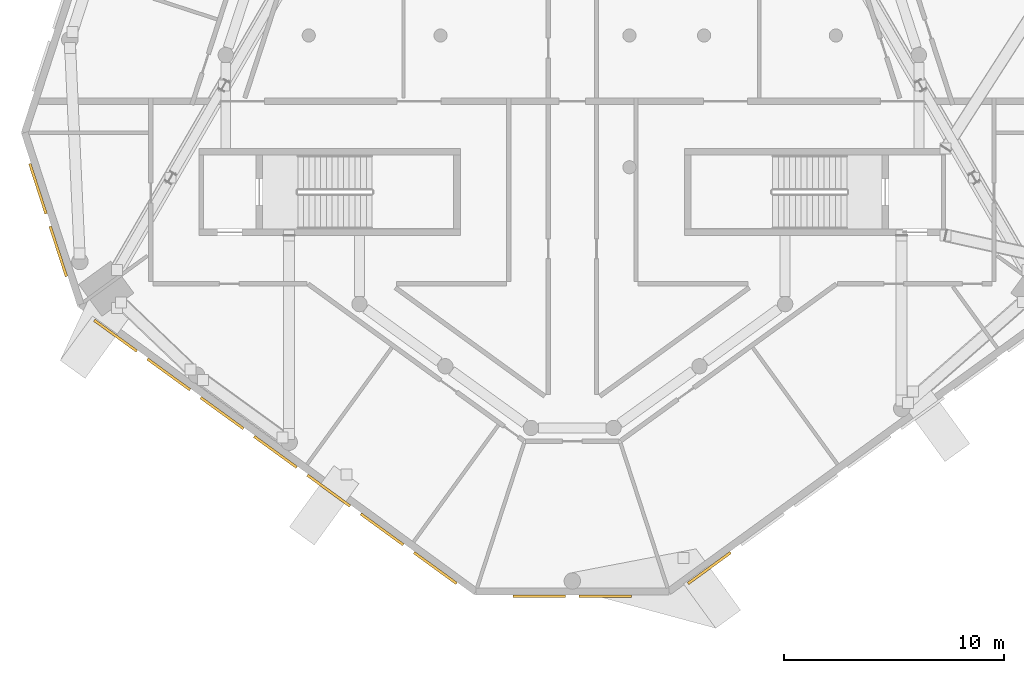
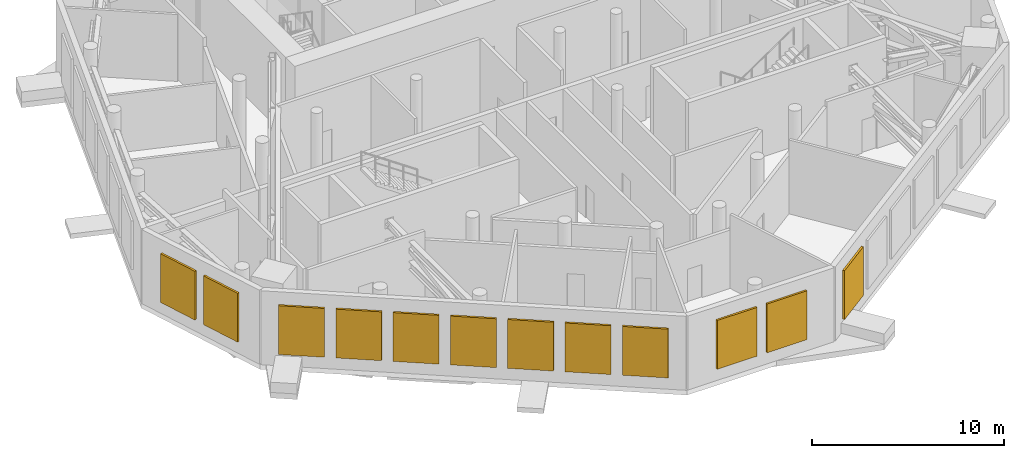
# One storey, part 13 of 17: 12 shading devices.
"""IFC4 building model written with IfcOpenShell, lengths in metres."""

from ifc_helpers import new_model, si_unit, direction, frame, origin, origin_2d, place, context, subcontext, project, spatial, rectangle, extrude, material, type_object, element, save


model = new_model("IFC4")

# Units and contexts
model_context = context("Model", 3, precision=1e-05, world=origin(), true_north=direction((0.0, 1.0)))
body_context = subcontext(model_context, "Body", "Model", "MODEL_VIEW")
ifc_project = project(units=[si_unit("LENGTHUNIT", "METRE"), si_unit("AREAUNIT", "SQUARE_METRE"), si_unit("VOLUMEUNIT", "CUBIC_METRE"), si_unit("PLANEANGLEUNIT", "RADIAN"), si_unit("MASSUNIT", "GRAM", prefix="KILO")], contexts=[model_context])

# Site, building, storey
site_placement = place(None, origin())
site = spatial("IfcSite", under=ifc_project, at=site_placement, CompositionType="ELEMENT")
building_placement = place(site_placement, origin())
building = spatial("IfcBuilding", under=site, at=building_placement, Name="White Candle Pilgrim Tower", CompositionType="ELEMENT")
storey_placement = place(building_placement, frame((0.0, 0.0, 191.5)))
storey = spatial("IfcBuildingStorey", under=building, at=storey_placement, Name="L44", CompositionType="ELEMENT", Elevation=191.5)

# Shading devices
ifc_material = material(Name="Aluminium", Category="aluminium")
shading_device_type = type_object("IfcShadingDeviceType", Name="Plant louvre LV2 2400x3100 aluminium framed", PredefinedType="USERDEFINED", material=ifc_material)
for number, where, z_axis, x_axis, name in (
    (1, (45.668701171875, 60.0244140625, 0.800048828125), (0.0, 0.0, 1.0), (0.309017028469, -0.951056505217, 0.0), "Plant louvre L44 W chamfer 1"),
    (2, (46.595703125, 57.171142578125, 0.800048828125), (0.0, 0.0, 1.0), (0.309017028469, -0.951056505217, 0.0), "Plant louvre L44 W chamfer 2"),
    (3, (49.19970703125, 53.3310546875, 0.800048828125), (0.0, 0.0, 1.0), (0.809016998509, -0.587785246602, 0.0), "Plant louvre L44 SW 1"),
    (4, (51.626708984375, 51.567626953125, 0.800048828125), (0.0, 0.0, 1.0), (0.809016998509, -0.587785246602, 0.0), "Plant louvre L44 SW 2"),
    (5, (54.0537109375, 49.80419921875, 0.800048828125), (0.0, 0.0, 1.0), (0.809016998509, -0.587785246602, 0.0), "Plant louvre L44 SW 3"),
    (6, (56.48095703125, 48.041015625, 0.800048828125), (0.0, 0.0, 1.0), (0.809016998509, -0.587785246602, 0.0), "Plant louvre L44 SW 4"),
    (7, (58.907958984375, 46.277587890625, 0.800048828125), (0.0, 0.0, 1.0), (0.809016998509, -0.587785246602, 0.0), "Plant louvre L44 SW 5"),
    (8, (61.3349609375, 44.51416015625, 0.800048828125), (0.0, 0.0, 1.0), (0.809016998509, -0.587785246602, 0.0), "Plant louvre L44 SW 6"),
    (9, (63.761962890625, 42.7509765625, 0.800048828125), (0.0, 0.0, 1.0), (0.809016998509, -0.587785246602, 0.0), "Plant louvre L44 SW 7"),
    (10, (68.5, 41.461181640625, 0.800048828125), (0.0, 0.0, 1.0), (1.0, 0.0, 0.0), "Plant louvre L44 S chamfer 1"),
    (11, (71.5, 41.461181640625, 0.800048828125), (0.0, 0.0, 1.0), (1.0, 0.0, 0.0), "Plant louvre L44 S chamfer 2"),
    (12, (76.238037109375, 42.7509765625, 0.800048828125), (0.0, 0.0, 1.0), (0.809016998509, 0.587785246602, 0.0), "Plant louvre L44 SE 1"),
):
    element("IfcShadingDevice", number, at=place(storey_placement, frame(where, z_axis=z_axis, x_axis=x_axis)), inside=storey, type_object=shading_device_type, Name=name, ObjectType="LOUVRE", PredefinedType="USERDEFINED", context=body_context, shape_type="SweptSolid", body=[
        extrude(rectangle(XDim=2.39990234375, YDim=0.1201171875, at=origin_2d()), origin(), (0.0, 0.0, 1.0), 3.10009765625),
    ])

save(model, "model.ifc")
